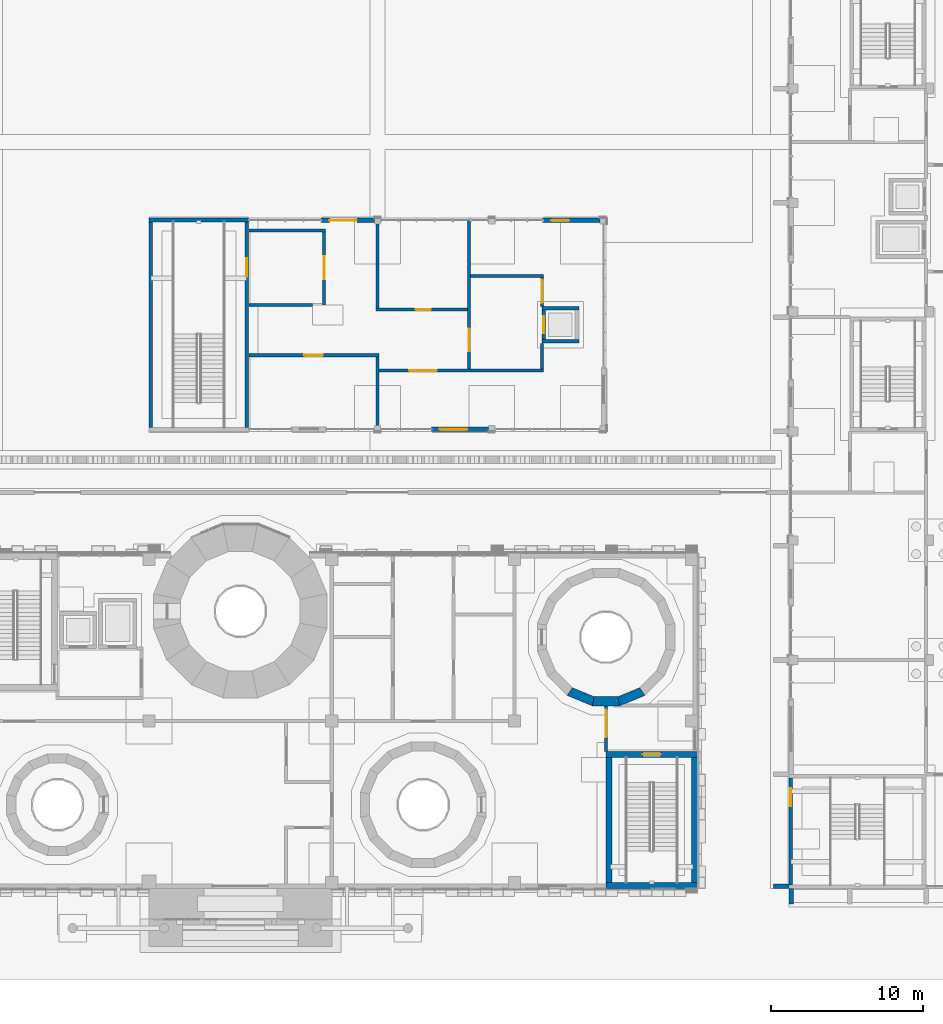
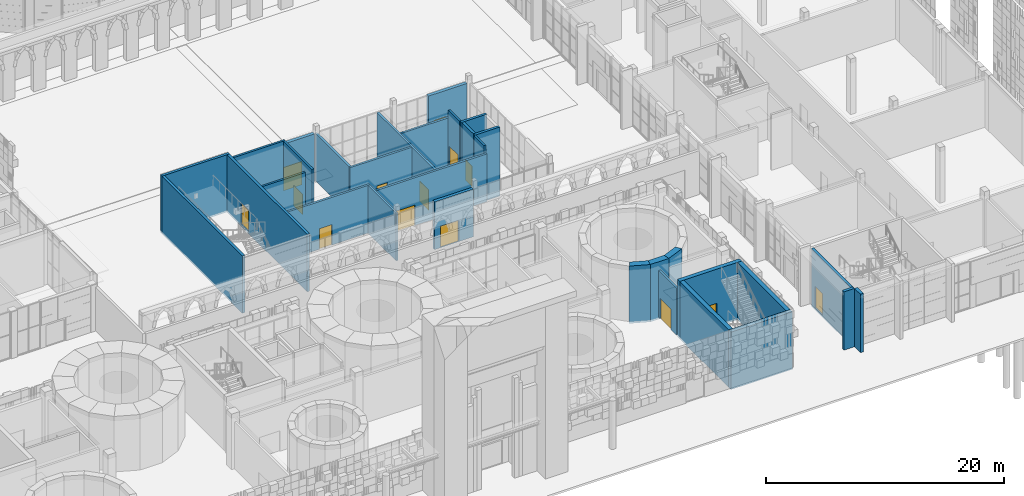
# One storey, part 52 of 125: 32 walls, 14 doors, 14 openings.
"""IFC4 building model written with IfcOpenShell, lengths in metres."""

from ifc_helpers import new_model, si_unit, direction, frame, frame_2d, origin, place, context, subcontext, project, spatial, polyline, rectangle, outline, extrude, material, layer, layer_set, type_object, element, fill, save


model = new_model("IFC4")

# Units and contexts
model_context = context("Model", 3, precision=1e-05, world=origin(), true_north=direction((0.0, 1.0)))
body_context = subcontext(model_context, "Body", "Model", "MODEL_VIEW")
ifc_project = project(units=[si_unit("LENGTHUNIT", "METRE"), si_unit("AREAUNIT", "SQUARE_METRE"), si_unit("VOLUMEUNIT", "CUBIC_METRE"), si_unit("PLANEANGLEUNIT", "RADIAN"), si_unit("MASSUNIT", "GRAM", prefix="KILO")], contexts=[model_context])

# Site, building, storey
site_placement = place(None, origin())
site = spatial("IfcSite", under=ifc_project, at=site_placement, CompositionType="ELEMENT")
building_placement = place(site_placement, origin())
building = spatial("IfcBuilding", under=site, at=building_placement, Name="Sun Court Science Centre", CompositionType="ELEMENT")
storey_placement = place(building_placement, origin())
storey = spatial("IfcBuildingStorey", under=building, at=storey_placement, Name="L00", CompositionType="ELEMENT", Elevation=0.0)

# Wall, opening, door
ifc_material_1 = material(Name="Clay masonry", Category="masonry")
ifc_layer_1 = layer(ifc_material_1, 0.300048828125)
ifc_layer_set_1 = layer_set([ifc_layer_1], Name="Clay masonry")
wall_type_1 = type_object("IfcWallType", Name="Clay masonry infill wall 300", PredefinedType="SOLIDWALL", material=ifc_layer_set_1)
wall_1_placement = place(storey_placement, frame((58.300048828125, 36.14990234375, 0.0), z_axis=(0.0, 0.0, 1.0), x_axis=(-1.0, 0.0, 0.0)))
wall_1 = element("IfcWall", 1, at=wall_1_placement, inside=storey, type_object=wall_type_1, Name="External infill wall L00 south face 01", PredefinedType="SOLIDWALL", context=body_context, shape_type="SweptSolid", body=[
    extrude(rectangle(XDim=3.760009765625, YDim=0.300048828125, at=frame_2d((1.8798828125, 0.0))), origin(), (0.0, 0.0, 1.0), 4.89990234375),
])
opening_1_placement = place(wall_1_placement, frame((1.39990234375, 0.0, 0.0)))
opening_1 = element("IfcOpeningElement", 2, at=opening_1_placement, cuts=wall_1, Name="Opening D-L00-108", PredefinedType="OPENING", context=body_context, shape_type="SweptSolid", body=[
    extrude(rectangle(XDim=1.800048828125, YDim=2.199951171875, at=frame_2d((0.89990234375, 1.10009765625))), frame((0.0, 0.159912109375, 0.0), z_axis=(0.0, -1.0, 0.0), x_axis=(1.0, 0.0, 0.0)), (0.0, 0.0, 1.0), 0.320068359375),
])
ifc_material_2 = material(Name="Steel and glass", Category="steel")
door_type_1 = type_object("IfcDoorType", Name="Exterior door 1800 x 2200 double", OperationType="DOUBLE_DOOR_SINGLE_SWING", PredefinedType="DOOR", material=ifc_material_2)
door_1_placement = place(opening_1_placement, origin())
door_1 = element("IfcDoor", 3, at=door_1_placement, inside=storey, type_object=door_type_1, Name="Exterior door D-L00-108 to the sun court", OperationType="SINGLE_SWING_LEFT", OverallHeight=2.199951171875, OverallWidth=1.800048828125, PredefinedType="DOOR", context=body_context, shape_type="SweptSolid", body=[
    extrude(rectangle(XDim=1.800048828125, YDim=2.199951171875, at=frame_2d((0.89990234375, 1.10009765625))), frame((0.0, 0.02490234375, 0.0), z_axis=(0.0, -1.0, 0.0), x_axis=(1.0, 0.0, 0.0)), (0.0, 0.0, 1.0), 0.050048828125),
])
fill(opening_1, door_1)

wall_2_placement = place(storey_placement, frame((47.2900390625, 49.85009765625, 0.0), z_axis=(0.0, 0.0, 1.0), x_axis=(1.0, 0.0, 0.0)))
wall_2 = element("IfcWall", 4, at=wall_2_placement, inside=storey, type_object=wall_type_1, Name="External infill wall L00 north face 01", PredefinedType="SOLIDWALL", context=body_context, shape_type="SweptSolid", body=[
    extrude(rectangle(XDim=3.510009765625, YDim=0.300048828125, at=frame_2d((1.7548828125, 0.0))), origin(), (0.0, 0.0, 1.0), 4.89990234375),
])
opening_2_placement = place(wall_2_placement, frame((0.56005859375, 0.0, 0.0)))
opening_2 = element("IfcOpeningElement", 5, at=opening_2_placement, cuts=wall_2, Name="Opening D-L00-107", PredefinedType="OPENING", context=body_context, shape_type="SweptSolid", body=[
    extrude(rectangle(XDim=1.800048828125, YDim=2.39990234375, at=frame_2d((0.89990234375, 1.199951171875))), frame((0.0, 0.159912109375, 0.0), z_axis=(0.0, -1.0, 0.0), x_axis=(1.0, 0.0, 0.0)), (0.0, 0.0, 1.0), 0.320068359375),
])
ifc_material_3 = material(Name="Aluminium and toughened glass", Category="aluminium")
door_type_2 = type_object("IfcDoorType", Name="Exterior door 1800 x 2400 double entrance", OperationType="DOUBLE_DOOR_SINGLE_SWING", PredefinedType="DOOR", material=ifc_material_3)
door_2_placement = place(opening_2_placement, origin())
door_2 = element("IfcDoor", 6, at=door_2_placement, inside=storey, type_object=door_type_2, Name="Exterior door D-L00-107 to the sun court", OperationType="SINGLE_SWING_LEFT", OverallHeight=2.39990234375, OverallWidth=1.800048828125, PredefinedType="DOOR", context=body_context, shape_type="SweptSolid", body=[
    extrude(rectangle(XDim=1.800048828125, YDim=2.39990234375, at=frame_2d((0.89990234375, 1.199951171875))), frame((0.0, 0.02490234375, 0.0), z_axis=(0.0, -1.0, 0.0), x_axis=(1.0, 0.0, 0.0)), (0.0, 0.0, 1.0), 0.050048828125),
])
fill(opening_2, door_2)

wall_3_placement = place(storey_placement, frame((61.840087890625, 49.85009765625, 0.0), z_axis=(0.0, 0.0, 1.0), x_axis=(1.0, 0.0, 0.0)))
wall_3 = element("IfcWall", 7, at=wall_3_placement, inside=storey, type_object=wall_type_1, Name="External infill wall L00 north face 02", PredefinedType="SOLIDWALL", context=body_context, shape_type="SweptSolid", body=[
    extrude(rectangle(XDim=3.760009765625, YDim=0.300048828125, at=frame_2d((1.8798828125, 0.0))), origin(), (0.0, 0.0, 1.0), 4.89990234375),
])
opening_3_placement = place(wall_3_placement, frame((0.56005859375, 0.0, 0.0)))
opening_3 = element("IfcOpeningElement", 8, at=opening_3_placement, cuts=wall_3, Name="Opening D-L00-110", PredefinedType="OPENING", context=body_context, shape_type="SweptSolid", body=[
    extrude(rectangle(XDim=1.199951171875, YDim=2.199951171875, at=frame_2d((0.60009765625, 1.10009765625))), frame((0.0, 0.159912109375, 0.0), z_axis=(0.0, -1.0, 0.0), x_axis=(1.0, 0.0, 0.0)), (0.0, 0.0, 1.0), 0.320068359375),
])
ifc_material_4 = material(Name="Steel and glass", Category="steel")
door_type_3 = type_object("IfcDoorType", Name="Exterior door 1200 x 2200 single", OperationType="SINGLE_SWING_LEFT", PredefinedType="DOOR", material=ifc_material_4)
door_3_placement = place(opening_3_placement, origin())
door_3 = element("IfcDoor", 9, at=door_3_placement, inside=storey, type_object=door_type_3, Name="Exterior door D-L00-110 to the sun court", OperationType="SINGLE_SWING_LEFT", OverallHeight=2.199951171875, OverallWidth=1.199951171875, PredefinedType="DOOR", context=body_context, shape_type="SweptSolid", body=[
    extrude(rectangle(XDim=1.199951171875, YDim=2.199951171875, at=frame_2d((0.60009765625, 1.10009765625))), frame((0.0, 0.02490234375, 0.0), z_axis=(0.0, -1.0, 0.0), x_axis=(1.0, 0.0, 0.0)), (0.0, 0.0, 1.0), 0.050048828125),
])
fill(opening_3, door_3)

# Walls
ifc_material_5 = material(Name="Concrete C30/37", Category="concrete")
ifc_layer_2 = layer(ifc_material_5, 0.300048828125)
ifc_layer_set_2 = layer_set([ifc_layer_2], Name="Concrete C30/37")
wall_type_2 = type_object("IfcWallType", Name="Facade fin RC 300", PredefinedType="SOLIDWALL", material=ifc_layer_set_2)
for number, where, z_axis, x_axis, name in (
    (10, (77.0, 6.14990234375, 0.0), (0.0, 0.0, 1.0), (1.0, 0.0, 0.0), "Facade fin 01 L00"),
    (11, (78.14990234375, 6.0, 0.0), (0.0, 0.0, 1.0), (0.0, -1.0, 0.0), "Facade fin south 01 L00"),
):
    element("IfcWall", number, at=place(storey_placement, frame(where, z_axis=z_axis, x_axis=x_axis)), inside=storey, type_object=wall_type_2, Name=name, PredefinedType="SOLIDWALL", context=body_context, shape_type="SweptSolid", body=[
        extrude(rectangle(XDim=1.0, YDim=0.300048828125, at=frame_2d((0.5, 0.0))), origin(), (0.0, 0.0, 1.0), 6.0),
    ])

# Wall, opening, door
ifc_material_6 = material(Name="Concrete block", Category="concrete")
ifc_layer_3 = layer(ifc_material_6, 0.199951171875)
ifc_layer_set_3 = layer_set([ifc_layer_3], Name="Concrete block")
wall_type_3 = type_object("IfcWallType", Name="Partition 200 block EI60", PredefinedType="PARTITIONING", material=ifc_layer_set_3)
wall_4_placement = place(storey_placement, frame((51.10009765625, 40.0, 0.0), z_axis=(0.0, 0.0, 1.0), x_axis=(1.0, 0.0, 0.0)))
wall_4 = element("IfcWall", 12, at=wall_4_placement, inside=storey, type_object=wall_type_3, Name="L00 partition 001", PredefinedType="PARTITIONING", context=body_context, shape_type="SweptSolid", body=[
    extrude(rectangle(XDim=10.789794921875, YDim=0.199951171875, at=frame_2d((5.39501953125, 0.0))), origin(), (0.0, 0.0, 1.0), 4.89990234375),
])
opening_4_placement = place(wall_4_placement, frame((1.97509765625, 0.0, 0.0)))
opening_4 = element("IfcOpeningElement", 13, at=opening_4_placement, cuts=wall_4, Name="Opening D-L00-103", PredefinedType="OPENING", context=body_context, shape_type="SweptSolid", body=[
    extrude(rectangle(XDim=1.800048828125, YDim=2.10009765625, at=frame_2d((0.89990234375, 1.050048828125))), frame((0.0, 0.10986328125, 0.0), z_axis=(0.0, -1.0, 0.0), x_axis=(1.0, 0.0, 0.0)), (0.0, 0.0, 1.0), 0.219970703125),
])
ifc_material_7 = material(Name="Timber", Category="wood")
door_type_4 = type_object("IfcDoorType", Name="Door 1800x2100 double leaf", OperationType="DOUBLE_DOOR_SINGLE_SWING", PredefinedType="DOOR", material=ifc_material_7)
door_4_placement = place(opening_4_placement, origin())
door_4 = element("IfcDoor", 14, at=door_4_placement, inside=storey, type_object=door_type_4, Name="Door D-L00-103", OperationType="DOUBLE_DOOR_SINGLE_SWING", OverallHeight=2.10009765625, OverallWidth=1.800048828125, PredefinedType="DOOR", context=body_context, shape_type="SweptSolid", body=[
    extrude(rectangle(XDim=1.800048828125, YDim=2.10009765625, at=frame_2d((0.89990234375, 1.050048828125))), frame((0.0, 0.02490234375, 0.0), z_axis=(0.0, -1.0, 0.0), x_axis=(1.0, 0.0, 0.0)), (0.0, 0.0, 1.0), 0.050048828125),
])
fill(opening_4, door_4)

wall_5_placement = place(storey_placement, frame((51.10009765625, 41.0, 0.0), z_axis=(0.0, 0.0, 1.0), x_axis=(-1.0, 0.0, 0.0)))
wall_5 = element("IfcWall", 15, at=wall_5_placement, inside=storey, type_object=wall_type_3, Name="L00 partition 002", PredefinedType="PARTITIONING", context=body_context, shape_type="SweptSolid", body=[
    extrude(rectangle(XDim=8.548095703125, YDim=0.199951171875, at=frame_2d((4.27392578125, 0.0))), origin(), (0.0, 0.0, 1.0), 4.89990234375),
])
opening_5_placement = place(wall_5_placement, frame((3.699951171875, 0.0, 0.0)))
opening_5 = element("IfcOpeningElement", 16, at=opening_5_placement, cuts=wall_5, Name="Opening D-L00-102", PredefinedType="OPENING", context=body_context, shape_type="SweptSolid", body=[
    extrude(rectangle(XDim=1.199951171875, YDim=2.10009765625, at=frame_2d((0.60009765625, 1.050048828125))), frame((0.0, 0.10986328125, 0.0), z_axis=(0.0, -1.0, 0.0), x_axis=(1.0, 0.0, 0.0)), (0.0, 0.0, 1.0), 0.219970703125),
])
ifc_material_8 = material(Name="Timber", Category="wood")
door_type_5 = type_object("IfcDoorType", Name="Door 1200x2100 single leaf", OperationType="NOTDEFINED", PredefinedType="DOOR", material=ifc_material_8)
door_5_placement = place(opening_5_placement, origin())
door_5 = element("IfcDoor", 17, at=door_5_placement, inside=storey, type_object=door_type_5, Name="Door D-L00-102", OperationType="SINGLE_SWING_LEFT", OverallHeight=2.10009765625, OverallWidth=1.199951171875, PredefinedType="DOOR", context=body_context, shape_type="SweptSolid", body=[
    extrude(rectangle(XDim=1.199951171875, YDim=2.10009765625, at=frame_2d((0.60009765625, 1.050048828125))), frame((0.0, 0.02490234375, 0.0), z_axis=(0.0, -1.0, 0.0), x_axis=(1.0, 0.0, 0.0)), (0.0, 0.0, 1.0), 0.050048828125),
])
fill(opening_5, door_5)

wall_6_placement = place(storey_placement, frame((50.89990234375, 44.0, 0.0), z_axis=(0.0, 0.0, 1.0), x_axis=(1.0, 0.0, 0.0)))
wall_6 = element("IfcWall", 18, at=wall_6_placement, inside=storey, type_object=wall_type_3, Name="L00 partition 003", PredefinedType="PARTITIONING", context=body_context, shape_type="SweptSolid", body=[
    extrude(rectangle(XDim=6.0, YDim=0.199951171875, at=frame_2d((3.0, 0.0))), origin(), (0.0, 0.0, 1.0), 4.89990234375),
])
opening_6_placement = place(wall_6_placement, frame((2.60009765625, 0.0, 0.0)))
opening_6 = element("IfcOpeningElement", 19, at=opening_6_placement, cuts=wall_6, Name="Opening D-L00-104", PredefinedType="OPENING", context=body_context, shape_type="SweptSolid", body=[
    extrude(rectangle(XDim=1.0, YDim=2.10009765625, at=frame_2d((0.5, 1.050048828125))), frame((0.0, 0.10986328125, 0.0), z_axis=(0.0, -1.0, 0.0), x_axis=(1.0, 0.0, 0.0)), (0.0, 0.0, 1.0), 0.219970703125),
])
ifc_material_9 = material(Name="Timber", Category="wood")
door_type_6 = type_object("IfcDoorType", Name="Door 1000x2100 single leaf", OperationType="NOTDEFINED", PredefinedType="DOOR", material=ifc_material_9)
door_6_placement = place(opening_6_placement, origin())
door_6 = element("IfcDoor", 20, at=door_6_placement, inside=storey, type_object=door_type_6, Name="Door D-L00-104", OperationType="SINGLE_SWING_LEFT", OverallHeight=2.10009765625, OverallWidth=1.0, PredefinedType="DOOR", context=body_context, shape_type="SweptSolid", body=[
    extrude(rectangle(XDim=1.0, YDim=2.10009765625, at=frame_2d((0.5, 1.050048828125))), frame((0.0, 0.02490234375, 0.0), z_axis=(0.0, -1.0, 0.0), x_axis=(1.0, 0.0, 0.0)), (0.0, 0.0, 1.0), 0.050048828125),
])
fill(opening_6, door_6)

# Walls
wall_7_placement = place(storey_placement, frame((42.552001953125, 44.300048828125, 0.0), z_axis=(0.0, 0.0, 1.0), x_axis=(1.0, 0.0, 0.0)))
element("IfcWall", 21, at=wall_7_placement, inside=storey, type_object=wall_type_3, Name="L00 partition 004", PredefinedType="PARTITIONING", context=body_context, shape_type="SweptSolid", body=[
    extrude(rectangle(XDim=4.197998046875, YDim=0.199951171875, at=frame_2d((2.09912109375, 0.0))), origin(), (0.0, 0.0, 1.0), 5.699951171875),
])
wall_8_placement = place(storey_placement, frame((57.10009765625, 46.199951171875, 0.0), z_axis=(0.0, 0.0, 1.0), x_axis=(1.0, 0.0, 0.0)))
element("IfcWall", 22, at=wall_8_placement, inside=storey, type_object=wall_type_3, Name="L00 partition 005", PredefinedType="PARTITIONING", context=body_context, shape_type="SweptSolid", body=[
    extrude(rectangle(XDim=4.789794921875, YDim=0.199951171875, at=frame_2d((2.39501953125, 0.0))), origin(), (0.0, 0.0, 1.0), 4.89990234375),
])
wall_9_placement = place(storey_placement, frame((42.552001953125, 49.199951171875, 0.0), z_axis=(0.0, 0.0, 1.0), x_axis=(1.0, 0.0, 0.0)))
element("IfcWall", 23, at=wall_9_placement, inside=storey, type_object=wall_type_3, Name="L00 partition 006", PredefinedType="PARTITIONING", context=body_context, shape_type="SweptSolid", body=[
    extrude(rectangle(XDim=5.048095703125, YDim=0.199951171875, at=frame_2d((2.52392578125, 0.0))), origin(), (0.0, 0.0, 1.0), 5.699951171875),
])

# Wall, opening, door
wall_10_placement = place(storey_placement, frame((66.0, 17.986328125, 0.0), z_axis=(0.0, 0.0, 1.0), x_axis=(0.0, -1.0, 0.0)))
wall_10 = element("IfcWall", 24, at=wall_10_placement, inside=storey, type_object=wall_type_3, Name="L00 partition 012", PredefinedType="PARTITIONING", context=body_context, shape_type="SweptSolid", body=[
    extrude(rectangle(XDim=2.984375, YDim=0.199951171875, at=frame_2d((1.4921875, 0.0))), origin(), (0.0, 0.0, 1.0), 4.800048828125),
])
opening_7_placement = place(wall_10_placement, frame((0.248291015625, 0.0, 0.0)))
opening_7 = element("IfcOpeningElement", 25, at=opening_7_placement, cuts=wall_10, Name="Opening D-L00-012", PredefinedType="OPENING", context=body_context, shape_type="SweptSolid", body=[
    extrude(rectangle(XDim=1.800048828125, YDim=2.10009765625, at=frame_2d((0.89990234375, 1.050048828125))), frame((0.0, 0.10986328125, 0.0), z_axis=(0.0, -1.0, 0.0), x_axis=(1.0, 0.0, 0.0)), (0.0, 0.0, 1.0), 0.219970703125),
])
door_7_placement = place(opening_7_placement, origin())
door_7 = element("IfcDoor", 26, at=door_7_placement, inside=storey, type_object=door_type_4, Name="Door D-L00-012", OperationType="DOUBLE_DOOR_SINGLE_SWING", OverallHeight=2.10009765625, OverallWidth=1.800048828125, PredefinedType="DOOR", context=body_context, shape_type="SweptSolid", body=[
    extrude(rectangle(XDim=1.800048828125, YDim=2.10009765625, at=frame_2d((0.89990234375, 1.050048828125))), frame((0.0, 0.02490234375, 0.0), z_axis=(0.0, -1.0, 0.0), x_axis=(1.0, 0.0, 0.0)), (0.0, 0.0, 1.0), 0.050048828125),
])
fill(opening_7, door_7)

# Wall
wall_11_placement = place(storey_placement, frame((61.7900390625, 40.10009765625, 0.0), z_axis=(0.0, 0.0, 1.0), x_axis=(0.0, 1.0, 0.0)))
element("IfcWall", 27, at=wall_11_placement, inside=storey, type_object=wall_type_3, Name="L00 partition 007", PredefinedType="PARTITIONING", context=body_context, shape_type="SweptSolid", body=[
    extrude(rectangle(XDim=1.685302734375, YDim=0.199951171875, at=frame_2d((0.8427734375, 0.0))), origin(), (0.0, 0.0, 1.0), 5.699951171875),
])

# Wall, opening, door
wall_12_placement = place(storey_placement, frame((61.7900390625, 44.214599609375, 0.0), z_axis=(0.0, 0.0, 1.0), x_axis=(0.0, 1.0, 0.0)))
wall_12 = element("IfcWall", 28, at=wall_12_placement, inside=storey, type_object=wall_type_3, Name="L00 partition 008", PredefinedType="PARTITIONING", context=body_context, shape_type="SweptSolid", body=[
    extrude(rectangle(XDim=1.885498046875, YDim=0.199951171875, at=frame_2d((0.94287109375, 0.0))), origin(), (0.0, 0.0, 1.0), 5.699951171875),
])
opening_8_placement = place(wall_12_placement, frame((0.242431640625, 0.0, 0.0)))
opening_8 = element("IfcOpeningElement", 29, at=opening_8_placement, cuts=wall_12, Name="Opening D-L00-105", PredefinedType="OPENING", context=body_context, shape_type="SweptSolid", body=[
    extrude(rectangle(XDim=1.5, YDim=2.10009765625, at=frame_2d((0.75, 1.050048828125))), frame((0.0, 0.10986328125, 0.0), z_axis=(0.0, -1.0, 0.0), x_axis=(1.0, 0.0, 0.0)), (0.0, 0.0, 1.0), 0.219970703125),
])
ifc_material_10 = material(Name="Timber", Category="wood")
door_type_7 = type_object("IfcDoorType", Name="Door 1500x2100 double leaf", OperationType="DOUBLE_DOOR_SINGLE_SWING", PredefinedType="DOOR", material=ifc_material_10)
door_8_placement = place(opening_8_placement, origin())
door_8 = element("IfcDoor", 30, at=door_8_placement, inside=storey, type_object=door_type_7, Name="Door D-L00-105", OperationType="DOUBLE_DOOR_SINGLE_SWING", OverallHeight=2.10009765625, OverallWidth=1.5, PredefinedType="DOOR", context=body_context, shape_type="SweptSolid", body=[
    extrude(rectangle(XDim=1.5, YDim=2.10009765625, at=frame_2d((0.75, 1.050048828125))), frame((0.0, 0.02490234375, 0.0), z_axis=(0.0, -1.0, 0.0), x_axis=(1.0, 0.0, 0.0)), (0.0, 0.0, 1.0), 0.050048828125),
])
fill(opening_8, door_8)

wall_13_placement = place(storey_placement, frame((57.0, 49.800048828125, 0.0), z_axis=(0.0, 0.0, 1.0), x_axis=(0.0, -1.0, 0.0)))
wall_13 = element("IfcWall", 31, at=wall_13_placement, inside=storey, type_object=wall_type_3, Name="L00 partition 009", PredefinedType="PARTITIONING", context=body_context, shape_type="SweptSolid", body=[
    extrude(rectangle(XDim=9.699951171875, YDim=0.199951171875, at=frame_2d((4.85009765625, 0.0))), origin(), (0.0, 0.0, 1.0), 4.89990234375),
])
opening_9_placement = place(wall_13_placement, frame((7.050048828125, 0.0, 0.0)))
opening_9 = element("IfcOpeningElement", 32, at=opening_9_placement, cuts=wall_13, Name="Opening D-L00-106", PredefinedType="OPENING", context=body_context, shape_type="SweptSolid", body=[
    extrude(rectangle(XDim=1.5, YDim=2.10009765625, at=frame_2d((0.75, 1.050048828125))), frame((0.0, 0.10986328125, 0.0), z_axis=(0.0, -1.0, 0.0), x_axis=(1.0, 0.0, 0.0)), (0.0, 0.0, 1.0), 0.219970703125),
])
door_9_placement = place(opening_9_placement, origin())
door_9 = element("IfcDoor", 33, at=door_9_placement, inside=storey, type_object=door_type_7, Name="Door D-L00-106", OperationType="DOUBLE_DOOR_SINGLE_SWING", OverallHeight=2.10009765625, OverallWidth=1.5, PredefinedType="DOOR", context=body_context, shape_type="SweptSolid", body=[
    extrude(rectangle(XDim=1.5, YDim=2.10009765625, at=frame_2d((0.75, 1.050048828125))), frame((0.0, 0.02490234375, 0.0), z_axis=(0.0, -1.0, 0.0), x_axis=(1.0, 0.0, 0.0)), (0.0, 0.0, 1.0), 0.050048828125),
])
fill(opening_9, door_9)

# Walls
wall_14_placement = place(storey_placement, frame((51.0, 36.199951171875, 0.0), z_axis=(0.0, 0.0, 1.0), x_axis=(0.0, 1.0, 0.0)))
element("IfcWall", 34, at=wall_14_placement, inside=storey, type_object=wall_type_3, Name="L00 partition 010", PredefinedType="PARTITIONING", context=body_context, shape_type="SweptSolid", body=[
    extrude(rectangle(XDim=4.699951171875, YDim=0.199951171875, at=frame_2d((2.35009765625, 0.0))), origin(), (0.0, 0.0, 1.0), 4.89990234375),
])
wall_15_placement = place(storey_placement, frame((51.0, 44.10009765625, 0.0), z_axis=(0.0, 0.0, 1.0), x_axis=(0.0, 1.0, 0.0)))
element("IfcWall", 35, at=wall_15_placement, inside=storey, type_object=wall_type_3, Name="L00 partition 011", PredefinedType="PARTITIONING", context=body_context, shape_type="SweptSolid", body=[
    extrude(rectangle(XDim=5.699951171875, YDim=0.199951171875, at=frame_2d((2.85009765625, 0.0))), origin(), (0.0, 0.0, 1.0), 4.89990234375),
])

# Wall, opening, door
wall_16_placement = place(storey_placement, frame((47.5, 49.10009765625, 0.0), z_axis=(0.0, 0.0, 1.0), x_axis=(0.0, -1.0, 0.0)))
wall_16 = element("IfcWall", 36, at=wall_16_placement, inside=storey, type_object=wall_type_3, Name="L00 partition 012", PredefinedType="PARTITIONING", context=body_context, shape_type="SweptSolid", body=[
    extrude(rectangle(XDim=4.800048828125, YDim=0.199951171875, at=frame_2d((2.39990234375, 0.0))), origin(), (0.0, 0.0, 1.0), 5.699951171875),
])
opening_10_placement = place(wall_16_placement, frame((1.60009765625, 0.0, 0.0)))
opening_10 = element("IfcOpeningElement", 37, at=opening_10_placement, cuts=wall_16, Name="Opening D-L00-100", PredefinedType="OPENING", context=body_context, shape_type="SweptSolid", body=[
    extrude(rectangle(XDim=1.5, YDim=2.10009765625, at=frame_2d((0.75, 1.050048828125))), frame((0.0, 0.10986328125, 0.0), z_axis=(0.0, -1.0, 0.0), x_axis=(1.0, 0.0, 0.0)), (0.0, 0.0, 1.0), 0.219970703125),
])
ifc_material_11 = material(Name="Steel", Category="steel")
door_type_8 = type_object("IfcDoorType", Name="Door 1500x2100 double leaf FD60", OperationType="DOUBLE_DOOR_SINGLE_SWING", PredefinedType="DOOR", material=ifc_material_11)
door_10_placement = place(opening_10_placement, origin())
door_10 = element("IfcDoor", 38, at=door_10_placement, inside=storey, type_object=door_type_8, Name="Door D-L00-100", OperationType="DOUBLE_DOOR_SINGLE_SWING", OverallHeight=2.10009765625, OverallWidth=1.5, PredefinedType="DOOR", context=body_context, shape_type="SweptSolid", body=[
    extrude(rectangle(XDim=1.5, YDim=2.10009765625, at=frame_2d((0.75, 1.050048828125))), frame((0.0, 0.02490234375, 0.0), z_axis=(0.0, -1.0, 0.0), x_axis=(1.0, 0.0, 0.0)), (0.0, 0.0, 1.0), 0.050048828125),
])
fill(opening_10, door_10)

# Walls
ifc_material_12 = material(Name="Concrete C30/37", Category="concrete")
ifc_layer_4 = layer(ifc_material_12, 0.60009765625)
ifc_layer_set_4 = layer_set([ifc_layer_4], Name="Concrete C30/37")
wall_type_4 = type_object("IfcWallType", Name="RC cone ring wall 600", PredefinedType="SHEAR", material=ifc_layer_set_4)
wall_17_placement = place(storey_placement, frame((63.55908203125, 18.952392578125, -0.199951171875), z_axis=(0.0, 0.0, 1.0), x_axis=(0.92389581185, -0.3826441282, 0.0)))
element("IfcWall", 39, at=wall_17_placement, inside=storey, type_object=wall_type_4, Name="Cone 6 ring wall L00 segment 11", PredefinedType="SHEAR", context=body_context, shape_type="SweptSolid", body=[
    extrude(outline(polyline([(0.0, -0.2998046875), (1.794921875, -0.300048828125), (1.675537109375, 0.300048828125), (0.119384765625, 0.300048828125), (0.0, -0.2998046875)])), origin(), (0.0, 0.0, 1.0), 5.89990234375),
])
wall_18_placement = place(storey_placement, frame((65.1025390625, 18.288330078125, -0.199951171875), z_axis=(0.0, 0.0, 1.0), x_axis=(1.0, 0.0, 0.0)))
element("IfcWall", 40, at=wall_18_placement, inside=storey, type_object=wall_type_4, Name="Cone 6 ring wall L00 segment 12", PredefinedType="SHEAR", context=body_context, shape_type="SweptSolid", body=[
    extrude(outline(polyline([(0.0, -0.300048828125), (1.794921875, -0.300048828125), (1.675537109375, 0.300048828125), (0.119384765625, 0.300048828125), (0.0, -0.300048828125)])), origin(), (0.0, 0.0, 1.0), 5.89990234375),
])
wall_19_placement = place(storey_placement, frame((66.78271484375, 18.265625, -0.199951171875), z_axis=(0.0, 0.0, 1.0), x_axis=(0.92389581185, 0.3826441282, 0.0)))
element("IfcWall", 41, at=wall_19_placement, inside=storey, type_object=wall_type_4, Name="Cone 6 ring wall L00 segment 13", PredefinedType="SHEAR", context=body_context, shape_type="SweptSolid", body=[
    extrude(outline(polyline([(0.0, -0.300048828125), (1.794677734375, -0.2998046875), (1.67529296875, 0.300048828125), (0.119140625, 0.300048828125), (0.0, -0.300048828125)])), origin(), (0.0, 0.0, 1.0), 5.89990234375),
])
ifc_material_13 = material(Name="Concrete C30/37", Category="concrete")
ifc_layer_5 = layer(ifc_material_13, 0.25)
ifc_layer_set_5 = layer_set([ifc_layer_5], Name="Concrete C30/37")
wall_type_5 = type_object("IfcWallType", Name="RC shaft wall 250", PredefinedType="SHEAR", material=ifc_layer_set_5)
for number, where, z_axis, x_axis, name in (
    (42, (61.78759765625, 41.91259765625, -1.39990234375), (0.0, 0.0, 1.0), (1.0, 0.0, 0.0), "Lift core LP1 wall S, L00"),
    (43, (61.78759765625, 44.08740234375, -1.39990234375), (0.0, 0.0, 1.0), (1.0, 0.0, 0.0), "Lift core LP1 wall N, L00"),
):
    element("IfcWall", number, at=place(storey_placement, frame(where, z_axis=z_axis, x_axis=x_axis)), inside=storey, type_object=wall_type_5, Name=name, PredefinedType="SHEAR", context=body_context, shape_type="SweptSolid", body=[
        extrude(rectangle(XDim=2.4248046875, YDim=0.25, at=frame_2d((1.21240234375, 0.0))), origin(), (0.0, 0.0, 1.0), 7.099853515625),
    ])

# Wall, opening, door
wall_20_placement = place(storey_placement, frame((61.91259765625, 42.03759765625, -1.39990234375), z_axis=(0.0, 0.0, 1.0), x_axis=(0.0, 1.0, 0.0)))
wall_20 = element("IfcWall", 44, at=wall_20_placement, inside=storey, type_object=wall_type_5, Name="Lift core LP1 wall W, L00", PredefinedType="SHEAR", context=body_context, shape_type="SweptSolid", body=[
    extrude(rectangle(XDim=1.9248046875, YDim=0.25, at=frame_2d((0.96240234375, 0.0))), origin(), (0.0, 0.0, 1.0), 7.099853515625),
])
opening_11_placement = place(wall_20_placement, frame((0.41259765625, 0.0, 1.39990234375)))
opening_11 = element("IfcOpeningElement", 45, at=opening_11_placement, cuts=wall_20, Name="Opening D-L00-101", PredefinedType="OPENING", context=body_context, shape_type="SweptSolid", body=[
    extrude(rectangle(XDim=1.10009765625, YDim=2.10009765625, at=frame_2d((0.550048828125, 1.050048828125))), frame((0.0, 0.135009765625, 0.0), z_axis=(0.0, -1.0, 0.0), x_axis=(1.0, 0.0, 0.0)), (0.0, 0.0, 1.0), 0.27001953125),
])
ifc_material_14 = material(Name="Steel", Category="steel")
door_type_9 = type_object("IfcDoorType", Name="Lift landing door 1100x2100 sliding", OperationType="DOUBLE_DOOR_SLIDING", PredefinedType="DOOR", material=ifc_material_14)
door_11_placement = place(opening_11_placement, origin())
door_11 = element("IfcDoor", 46, at=door_11_placement, inside=storey, type_object=door_type_9, Name="Lift landing door D-L00-101", OperationType="DOUBLE_DOOR_SLIDING", OverallHeight=2.10009765625, OverallWidth=1.10009765625, PredefinedType="DOOR", context=body_context, shape_type="SweptSolid", body=[
    extrude(rectangle(XDim=1.10009765625, YDim=2.10009765625, at=frame_2d((0.550048828125, 1.050048828125))), frame((0.0, 0.02490234375, 0.0), z_axis=(0.0, -1.0, 0.0), x_axis=(1.0, 0.0, 0.0)), (0.0, 0.0, 1.0), 0.050048828125),
])
fill(opening_11, door_11)

ifc_material_15 = material(Name="Concrete C30/37", Category="concrete")
ifc_layer_6 = layer(ifc_material_15, 0.25)
ifc_layer_set_6 = layer_set([ifc_layer_6], Name="Concrete C30/37")
wall_type_6 = type_object("IfcWallType", Name="RC stair core wall 250", PredefinedType="SHEAR", material=ifc_layer_set_6)
wall_21_placement = place(storey_placement, frame((78.125, 6.25, -0.199951171875), z_axis=(0.0, 0.0, 1.0), x_axis=(0.0, 1.0, 0.0)))
wall_21 = element("IfcWall", 47, at=wall_21_placement, inside=storey, type_object=wall_type_6, Name="Stair core SL1 wall W, L00", PredefinedType="SHEAR", context=body_context, shape_type="SweptSolid", body=[
    extrude(rectangle(XDim=7.0, YDim=0.25, at=frame_2d((3.5, 0.0))), origin(), (0.0, 0.0, 1.0), 5.89990234375),
])
opening_12_placement = place(wall_21_placement, frame((5.14990234375, 0.0, 0.199951171875)))
opening_12 = element("IfcOpeningElement", 48, at=opening_12_placement, cuts=wall_21, Name="Opening D-L00-059", PredefinedType="OPENING", context=body_context, shape_type="SweptSolid", body=[
    extrude(rectangle(XDim=1.199951171875, YDim=2.199951171875, at=frame_2d((0.60009765625, 1.10009765625))), frame((0.0, 0.135009765625, 0.0), z_axis=(0.0, -1.0, 0.0), x_axis=(1.0, 0.0, 0.0)), (0.0, 0.0, 1.0), 0.27001953125),
])
door_12_placement = place(opening_12_placement, origin())
door_12 = element("IfcDoor", 49, at=door_12_placement, inside=storey, type_object=door_type_3, Name="Exterior door D-L00-059 to the sun court", OperationType="SINGLE_SWING_LEFT", OverallHeight=2.199951171875, OverallWidth=1.199951171875, PredefinedType="DOOR", context=body_context, shape_type="SweptSolid", body=[
    extrude(rectangle(XDim=1.199951171875, YDim=2.199951171875, at=frame_2d((0.60009765625, 1.10009765625))), frame((0.0, 0.02490234375, 0.0), z_axis=(0.0, -1.0, 0.0), x_axis=(1.0, 0.0, 0.0)), (0.0, 0.0, 1.0), 0.050048828125),
])
fill(opening_12, door_12)

wall_22_placement = place(storey_placement, frame((42.425048828125, 36.25, -0.199951171875), z_axis=(0.0, 0.0, 1.0), x_axis=(0.0, 1.0, 0.0)))
wall_22 = element("IfcWall", 50, at=wall_22_placement, inside=storey, type_object=wall_type_6, Name="Stair core SP1 wall E, L00", PredefinedType="SHEAR", context=body_context, shape_type="SweptSolid", body=[
    extrude(rectangle(XDim=13.5, YDim=0.25, at=frame_2d((6.75, 0.0))), origin(), (0.0, 0.0, 1.0), 5.89990234375),
])
opening_13_placement = place(wall_22_placement, frame((9.89990234375, 0.0, 0.199951171875)))
opening_13 = element("IfcOpeningElement", 51, at=opening_13_placement, cuts=wall_22, Name="Opening D-L00-099", PredefinedType="OPENING", context=body_context, shape_type="SweptSolid", body=[
    extrude(rectangle(XDim=1.199951171875, YDim=2.199951171875, at=frame_2d((0.60009765625, 1.10009765625))), frame((0.0, 0.135009765625, 0.0), z_axis=(0.0, -1.0, 0.0), x_axis=(1.0, 0.0, 0.0)), (0.0, 0.0, 1.0), 0.27001953125),
])
ifc_material_16 = material(Name="Steel", Category="steel")
door_type_10 = type_object("IfcDoorType", Name="Door 1200x2200 single leaf FD60", OperationType="NOTDEFINED", PredefinedType="DOOR", material=ifc_material_16)
door_13_placement = place(opening_13_placement, origin())
door_13 = element("IfcDoor", 52, at=door_13_placement, inside=storey, type_object=door_type_10, Name="Door D-L00-099", OperationType="SINGLE_SWING_LEFT", OverallHeight=2.199951171875, OverallWidth=1.199951171875, PredefinedType="DOOR", context=body_context, shape_type="SweptSolid", body=[
    extrude(rectangle(XDim=1.199951171875, YDim=2.199951171875, at=frame_2d((0.60009765625, 1.10009765625))), frame((0.0, 0.02490234375, 0.0), z_axis=(0.0, -1.0, 0.0), x_axis=(1.0, 0.0, 0.0)), (0.0, 0.0, 1.0), 0.050048828125),
])
fill(opening_13, door_13)

# Walls
wall_23_placement = place(storey_placement, frame((36.0, 49.875, -0.199951171875), z_axis=(0.0, 0.0, 1.0), x_axis=(1.0, 0.0, 0.0)))
element("IfcWall", 53, at=wall_23_placement, inside=storey, type_object=wall_type_6, Name="Stair core SP1 wall N, L00", PredefinedType="SHEAR", context=body_context, shape_type="SweptSolid", body=[
    extrude(rectangle(XDim=6.550048828125, YDim=0.25, at=frame_2d((3.27490234375, 0.0))), origin(), (0.0, 0.0, 1.0), 5.89990234375),
])
wall_24_placement = place(storey_placement, frame((36.125, 36.25, -0.199951171875), z_axis=(0.0, 0.0, 1.0), x_axis=(0.0, 1.0, 0.0)))
element("IfcWall", 54, at=wall_24_placement, inside=storey, type_object=wall_type_6, Name="Stair core SP1 wall W, L00", PredefinedType="SHEAR", context=body_context, shape_type="SweptSolid", body=[
    extrude(rectangle(XDim=13.5, YDim=0.25, at=frame_2d((6.75, 0.0))), origin(), (0.0, 0.0, 1.0), 5.89990234375),
])
ifc_material_17 = material(Name="Concrete C30/37", Category="concrete")
ifc_layer_7 = layer(ifc_material_17, 0.39990234375)
ifc_layer_set_7 = layer_set([ifc_layer_7], Name="Concrete C30/37")
wall_type_7 = type_object("IfcWallType", Name="RC stair core wall 400", PredefinedType="SHEAR", material=ifc_layer_set_7)
wall_25_placement = place(storey_placement, frame((66.0, 6.199951171875, -0.199951171875), z_axis=(0.0, 0.0, 1.0), x_axis=(1.0, 0.0, 0.0)))
element("IfcWall", 55, at=wall_25_placement, inside=storey, type_object=wall_type_7, Name="Stair core SB3 wall S, L00", PredefinedType="SHEAR", context=body_context, shape_type="SweptSolid", body=[
    extrude(rectangle(XDim=6.0, YDim=0.39990234375, at=frame_2d((3.0, 0.0))), origin(), (0.0, 0.0, 1.0), 5.89990234375),
])
wall_26_placement = place(storey_placement, frame((71.800048828125, 6.39990234375, -0.199951171875), z_axis=(0.0, 0.0, 1.0), x_axis=(0.0, 1.0, 0.0)))
element("IfcWall", 56, at=wall_26_placement, inside=storey, type_object=wall_type_7, Name="Stair core SB3 wall E, L00", PredefinedType="SHEAR", context=body_context, shape_type="SweptSolid", body=[
    extrude(rectangle(XDim=8.2001953125, YDim=0.39990234375, at=frame_2d((4.10009765625, 0.0))), origin(), (0.0, 0.0, 1.0), 5.89990234375),
])

# Wall, opening, door
wall_27_placement = place(storey_placement, frame((66.0, 14.800048828125, -0.199951171875), z_axis=(0.0, 0.0, 1.0), x_axis=(1.0, 0.0, 0.0)))
wall_27 = element("IfcWall", 57, at=wall_27_placement, inside=storey, type_object=wall_type_7, Name="Stair core SB3 wall N, L00", PredefinedType="SHEAR", context=body_context, shape_type="SweptSolid", body=[
    extrude(rectangle(XDim=6.0, YDim=0.39990234375, at=frame_2d((3.0, 0.0))), origin(), (0.0, 0.0, 1.0), 5.89990234375),
])
opening_14_placement = place(wall_27_placement, frame((2.40087890625, 0.0, 0.199951171875)))
opening_14 = element("IfcOpeningElement", 58, at=opening_14_placement, cuts=wall_27, Name="Opening D-L00-008", PredefinedType="OPENING", context=body_context, shape_type="SweptSolid", body=[
    extrude(rectangle(XDim=1.199951171875, YDim=2.199951171875, at=frame_2d((0.60009765625, 1.10009765625))), frame((0.0, 0.2099609375, 0.0), z_axis=(0.0, -1.0, 0.0), x_axis=(1.0, 0.0, 0.0)), (0.0, 0.0, 1.0), 0.419921875),
])
door_14_placement = place(opening_14_placement, origin())
door_14 = element("IfcDoor", 59, at=door_14_placement, inside=storey, type_object=door_type_10, Name="Door D-L00-008", OperationType="SINGLE_SWING_RIGHT", OverallHeight=2.199951171875, OverallWidth=1.199951171875, PredefinedType="DOOR", context=body_context, shape_type="SweptSolid", body=[
    extrude(rectangle(XDim=1.199951171875, YDim=2.199951171875, at=frame_2d((0.60009765625, 1.10009765625))), frame((0.0, 0.02490234375, 0.0), z_axis=(0.0, -1.0, 0.0), x_axis=(1.0, 0.0, 0.0)), (0.0, 0.0, 1.0), 0.050048828125),
])
fill(opening_14, door_14)

# Wall
wall_28_placement = place(storey_placement, frame((66.199951171875, 6.39990234375, -0.199951171875), z_axis=(0.0, 0.0, 1.0), x_axis=(0.0, 1.0, 0.0)))
element("IfcWall", 60, at=wall_28_placement, inside=storey, type_object=wall_type_7, Name="Stair core SB3 wall W, L00", PredefinedType="SHEAR", context=body_context, shape_type="SweptSolid", body=[
    extrude(rectangle(XDim=8.2001953125, YDim=0.39990234375, at=frame_2d((4.10009765625, 0.0))), origin(), (0.0, 0.0, 1.0), 5.89990234375),
])

save(model, "model.ifc")
